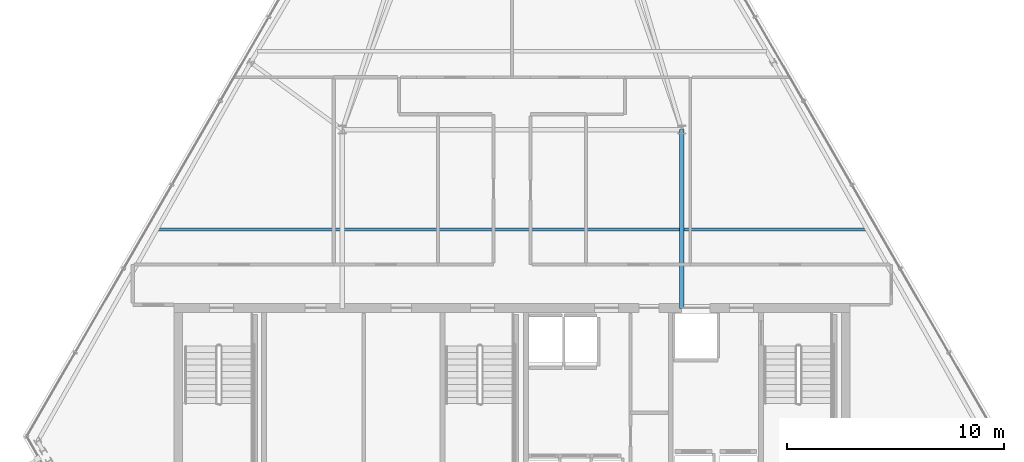
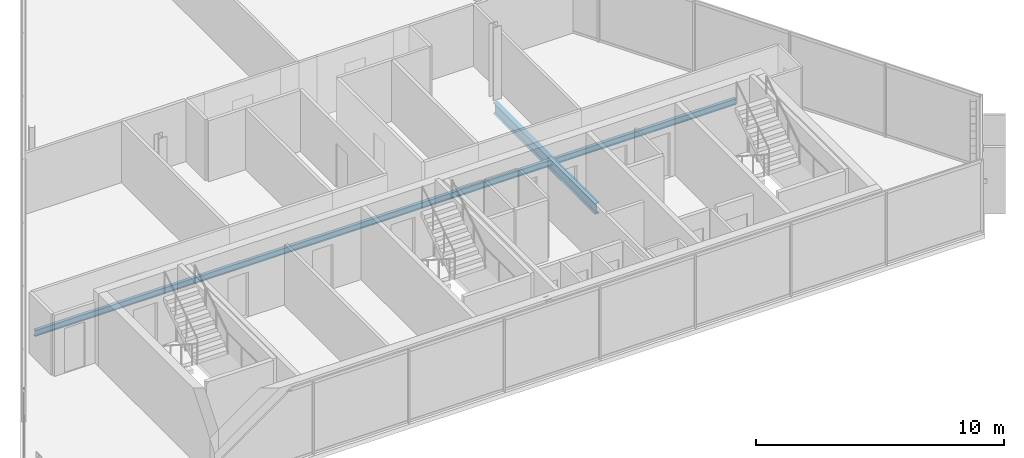
# One storey, part 10 of 32: 2 beams.
"""IFC4 building model written with IfcOpenShell, lengths in metres."""

from ifc_helpers import new_model, si_unit, direction, frame, origin, origin_2d, place, context, subcontext, project, spatial, i_section, extrude, material, material_profile, profile_set, type_object, element, save


model = new_model("IFC4")

# Units and contexts
model_context = context("Model", 3, precision=1e-05, world=origin(), true_north=direction((0.0, 1.0)))
body_context = subcontext(model_context, "Body", "Model", "MODEL_VIEW")
ifc_project = project(units=[si_unit("LENGTHUNIT", "METRE"), si_unit("AREAUNIT", "SQUARE_METRE"), si_unit("VOLUMEUNIT", "CUBIC_METRE"), si_unit("PLANEANGLEUNIT", "RADIAN"), si_unit("MASSUNIT", "GRAM", prefix="KILO")], contexts=[model_context])

# Site, building, storey
site_placement = place(None, origin())
site = spatial("IfcSite", under=ifc_project, at=site_placement, CompositionType="ELEMENT")
building_placement = place(site_placement, origin())
building = spatial("IfcBuilding", under=site, at=building_placement, Name="Ndaravel Arena Tower", CompositionType="ELEMENT")
storey_placement = place(building_placement, frame((0.0, 0.0, 287.10009765625)))
storey = spatial("IfcBuildingStorey", under=building, at=storey_placement, Name="L70", CompositionType="ELEMENT", Elevation=287.10009765625)

# Beams
ifc_material_1 = material(Name="Steel S355", Category="steel")
ifc_material_profile_1 = material_profile(ifc_material_1, i_section(OverallWidth=0.210693359375, OverallDepth=0.53955078125, WebThickness=0.01171875, FlangeThickness=0.018798828125, FilletRadius=0.0126953125, at=origin_2d()), Name="UB 533x210x109")
ifc_profile_set_1 = profile_set([ifc_material_profile_1], Name="Steel S355")
beam_type_1 = type_object("IfcBeamType", Name="BM-GIRD-UB533", PredefinedType="BEAM", material=ifc_profile_set_1)
beam_1_placement = place(storey_placement, frame((49.800048828125, 14.97998046875, -0.48974609375), z_axis=(0.0, 1.0, 0.0), x_axis=(-1.0, 0.0, 0.0)))
element("IfcBeam", 1, at=beam_1_placement, inside=storey, type_object=beam_type_1, Name="L70 Spine Link Girder SLG-02", PredefinedType="BEAM", context=body_context, shape_type="SweptSolid", body=[
    extrude(i_section(OverallWidth=0.210693359375, OverallDepth=0.53955078125, WebThickness=0.01171875, FlangeThickness=0.018798828125, FilletRadius=0.0126953125, at=origin_2d()), origin(), (0.0, 0.0, 1.0), 8.219970703125),
])
ifc_material_2 = material(Name="Steel S355", Category="steel")
ifc_material_profile_2 = material_profile(ifc_material_2, i_section(OverallWidth=0.14990234375, OverallDepth=0.300048828125, WebThickness=0.007080078125, FlangeThickness=0.0107421875, FilletRadius=0.014892578125, at=origin_2d()), Name="IPE 300")
ifc_profile_set_2 = profile_set([ifc_material_profile_2], Name="Steel S355")
beam_type_2 = type_object("IfcBeamType", Name="BM-JOIST-IPE300", PredefinedType="JOIST", material=ifc_profile_set_2)
beam_2_placement = place(storey_placement, frame((25.664306640625, 18.60009765625, -0.3701171875), z_axis=(1.0, 0.0, 0.0), x_axis=(0.0, 1.0, 0.0)))
element("IfcBeam", 2, at=beam_2_placement, inside=storey, type_object=beam_type_2, Name="L70 Composite Floor Joist FJ-01", PredefinedType="JOIST", context=body_context, shape_type="SweptSolid", body=[
    extrude(i_section(OverallWidth=0.14990234375, OverallDepth=0.300048828125, WebThickness=0.007080078125, FlangeThickness=0.0107421875, FilletRadius=0.014892578125, at=origin_2d()), origin(), (0.0, 0.0, 1.0), 32.67138671875),
])

save(model, "model.ifc")
